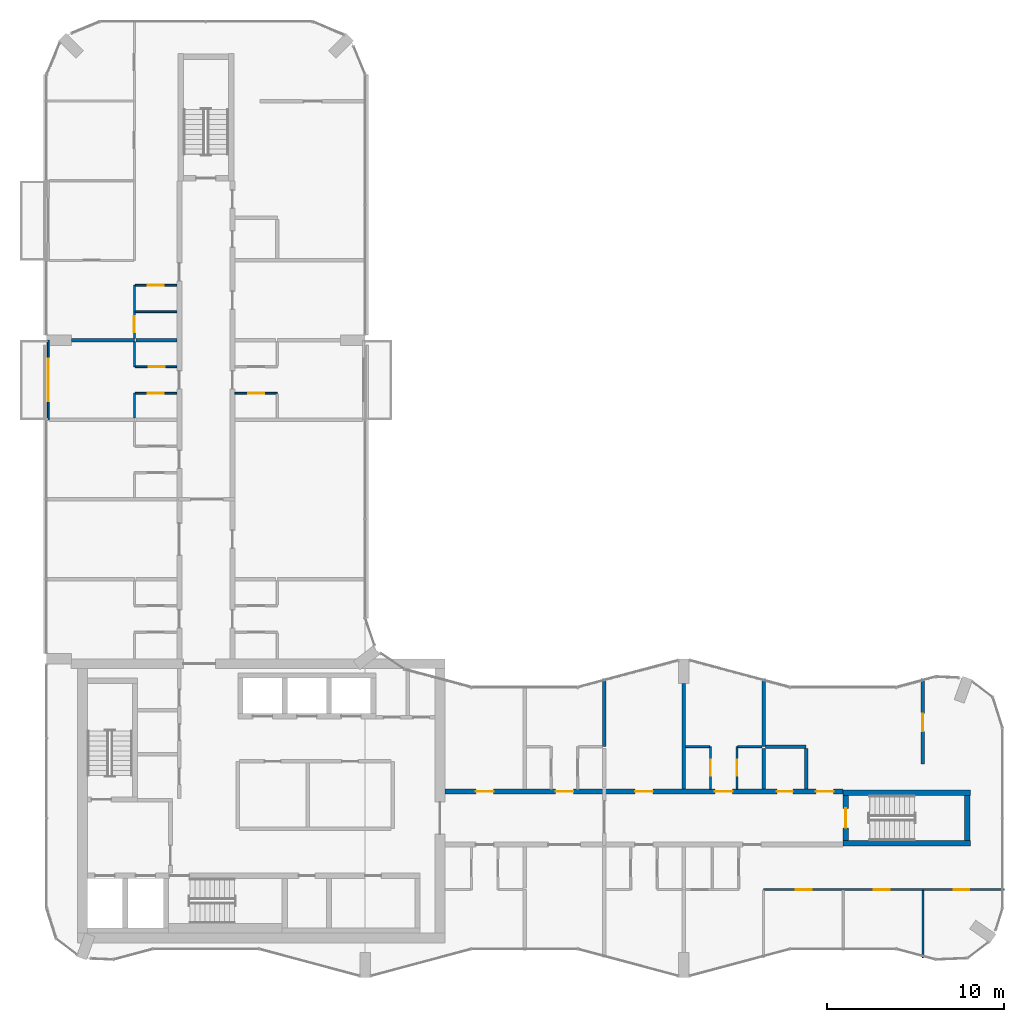
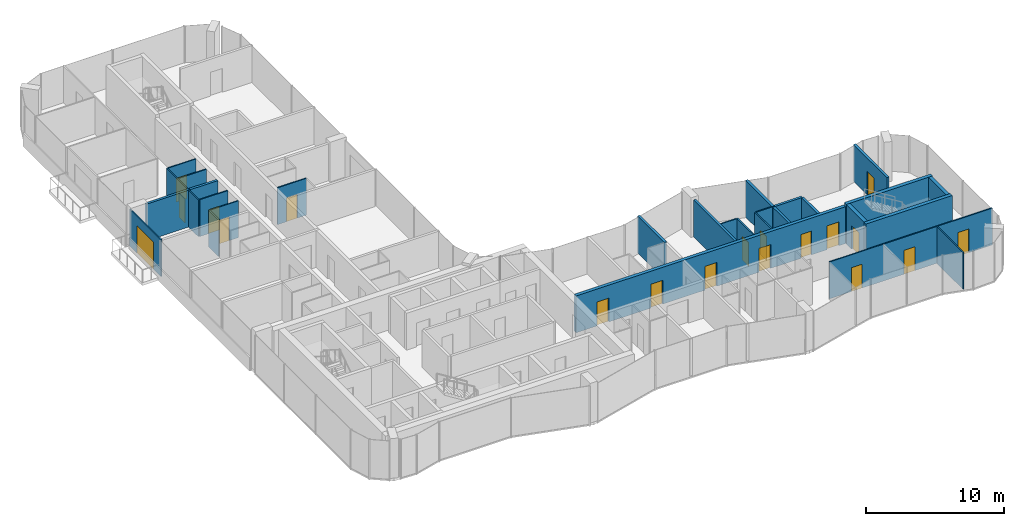
# One storey, part 12 of 15: 29 walls, 19 doors, 19 openings.
"""IFC4 building model written with IfcOpenShell, lengths in metres."""

from ifc_helpers import new_model, si_unit, direction, frame, frame_2d, origin, place, context, subcontext, project, spatial, rectangle, extrude, material, layer, layer_set, type_object, element, fill, save


model = new_model("IFC4")

# Units and contexts
model_context = context("Model", 3, precision=1e-05, world=origin(), true_north=direction((0.0, 1.0)))
body_context = subcontext(model_context, "Body", "Model", "MODEL_VIEW")
ifc_project = project(units=[si_unit("LENGTHUNIT", "METRE"), si_unit("AREAUNIT", "SQUARE_METRE"), si_unit("VOLUMEUNIT", "CUBIC_METRE"), si_unit("PLANEANGLEUNIT", "RADIAN"), si_unit("MASSUNIT", "GRAM", prefix="KILO")], contexts=[model_context])

# Site, building, storey
site_placement = place(None, origin())
site = spatial("IfcSite", under=ifc_project, at=site_placement, CompositionType="ELEMENT")
building_placement = place(site_placement, origin())
building = spatial("IfcBuilding", under=site, at=building_placement, Name="Plateau Cross Towers", CompositionType="ELEMENT")
storey_placement = place(building_placement, frame((0.0, 0.0, 197.89990234375)))
storey = spatial("IfcBuildingStorey", under=building, at=storey_placement, Name="L51", CompositionType="ELEMENT", Elevation=197.89990234375)

# Wall, opening, door
ifc_material_1 = material(Name="Aluminium framed glazing", Category="aluminium")
ifc_layer_1 = layer(ifc_material_1, 0.10009765625)
ifc_layer_set_1 = layer_set([ifc_layer_1], Name="Aluminium framed glazing")
wall_type_1 = type_object("IfcWallType", Name="Balcony screen wall 100", PredefinedType="STANDARD", material=ifc_layer_set_1)
wall_1_placement = place(storey_placement, frame((0.10009765625, 31.5, 0.0), z_axis=(0.0, 0.0, 1.0), x_axis=(0.0, 1.0, 0.0)))
wall_1 = element("IfcWall", 1, at=wall_1_placement, inside=storey, type_object=wall_type_1, Name="Balcony screen wall A-BAL-L51-01", PredefinedType="STANDARD", context=body_context, shape_type="SweptSolid", body=[
    extrude(rectangle(XDim=4.5, YDim=0.10009765625, at=frame_2d((2.25, 0.0))), origin(), (0.0, 0.0, 1.0), 3.25),
])
opening_1_placement = place(wall_1_placement, frame((1.050048828125, 0.0, 0.0)))
opening_1 = element("IfcOpeningElement", 2, at=opening_1_placement, cuts=wall_1, Name="Opening D-B24", PredefinedType="OPENING", context=body_context, shape_type="SweptSolid", body=[
    extrude(rectangle(XDim=2.39990234375, YDim=2.39990234375, at=frame_2d((1.199951171875, 1.199951171875))), frame((0.0, 0.06005859375, 0.0), z_axis=(0.0, -1.0, 0.0), x_axis=(1.0, 0.0, 0.0)), (0.0, 0.0, 1.0), 0.1201171875),
])
ifc_material_2 = material(Name="Aluminium frame, double glazing", Category="aluminium")
door_type_1 = type_object("IfcDoorType", Name="Balcony sliding door 2400", OperationType="NOTDEFINED", PredefinedType="DOOR", material=ifc_material_2)
door_1_placement = place(opening_1_placement, origin())
door_1 = element("IfcDoor", 3, at=door_1_placement, inside=storey, type_object=door_type_1, Name="Balcony door A-BAL-L51-01", OperationType="SINGLE_SWING_LEFT", OverallHeight=2.39990234375, OverallWidth=2.39990234375, PredefinedType="DOOR", context=body_context, shape_type="SweptSolid", body=[
    extrude(rectangle(XDim=2.39990234375, YDim=2.39990234375, at=frame_2d((1.199951171875, 1.199951171875))), frame((0.0, 0.02490234375, 0.0), z_axis=(0.0, -1.0, 0.0), x_axis=(1.0, 0.0, 0.0)), (0.0, 0.0, 1.0), 0.050048828125),
])
fill(opening_1, door_1)

# Wall, openings, doors
ifc_material_3 = material(Name="Concrete C60/75", Category="concrete")
ifc_layer_2 = layer(ifc_material_3, 0.27490234375)
ifc_layer_set_2 = layer_set([ifc_layer_2], Name="Concrete C60/75")
wall_type_2 = type_object("IfcWallType", Name="Corridor wall 275", PredefinedType="SHEAR", material=ifc_layer_set_2)
wall_2_placement = place(storey_placement, frame((22.5, 10.5, 0.0), z_axis=(0.0, 0.0, 1.0), x_axis=(1.0, 0.0, 0.0)))
wall_2 = element("IfcWall", 4, at=wall_2_placement, inside=storey, type_object=wall_type_2, Name="A-cw-S2@L51", PredefinedType="SHEAR", context=body_context, shape_type="SweptSolid", body=[
    extrude(rectangle(XDim=22.5, YDim=0.27490234375, at=frame_2d((11.25, 0.0))), origin(), (0.0, 0.0, 1.0), 3.25),
])
opening_2_placement = place(wall_2_placement, frame((1.75, 0.0, 0.0)))
opening_2 = element("IfcOpeningElement", 5, at=opening_2_placement, cuts=wall_2, Name="Opening 51-05", PredefinedType="OPENING", context=body_context, shape_type="SweptSolid", body=[
    extrude(rectangle(XDim=1.0, YDim=2.10009765625, at=frame_2d((0.5, 1.050048828125))), frame((0.0, 0.1474609375, 0.0), z_axis=(0.0, -1.0, 0.0), x_axis=(1.0, 0.0, 0.0)), (0.0, 0.0, 1.0), 0.294921875),
])
opening_3_placement = place(wall_2_placement, frame((6.25, 0.0, 0.0)))
opening_3 = element("IfcOpeningElement", 6, at=opening_3_placement, cuts=wall_2, Name="Opening 51-06", PredefinedType="OPENING", context=body_context, shape_type="SweptSolid", body=[
    extrude(rectangle(XDim=1.0, YDim=2.10009765625, at=frame_2d((0.5, 1.050048828125))), frame((0.0, 0.1474609375, 0.0), z_axis=(0.0, -1.0, 0.0), x_axis=(1.0, 0.0, 0.0)), (0.0, 0.0, 1.0), 0.294921875),
])
opening_4_placement = place(wall_2_placement, frame((10.75, 0.0, 0.0)))
opening_4 = element("IfcOpeningElement", 7, at=opening_4_placement, cuts=wall_2, Name="Opening 51-07", PredefinedType="OPENING", context=body_context, shape_type="SweptSolid", body=[
    extrude(rectangle(XDim=1.0, YDim=2.10009765625, at=frame_2d((0.5, 1.050048828125))), frame((0.0, 0.1474609375, 0.0), z_axis=(0.0, -1.0, 0.0), x_axis=(1.0, 0.0, 0.0)), (0.0, 0.0, 1.0), 0.294921875),
])
opening_5_placement = place(wall_2_placement, frame((15.25, 0.0, 0.0)))
opening_5 = element("IfcOpeningElement", 8, at=opening_5_placement, cuts=wall_2, Name="Opening 51-08", PredefinedType="OPENING", context=body_context, shape_type="SweptSolid", body=[
    extrude(rectangle(XDim=1.0, YDim=2.10009765625, at=frame_2d((0.5, 1.050048828125))), frame((0.0, 0.1474609375, 0.0), z_axis=(0.0, -1.0, 0.0), x_axis=(1.0, 0.0, 0.0)), (0.0, 0.0, 1.0), 0.294921875),
])
opening_6_placement = place(wall_2_placement, frame((18.75, 0.0, 0.0)))
opening_6 = element("IfcOpeningElement", 9, at=opening_6_placement, cuts=wall_2, Name="Opening 51-09", PredefinedType="OPENING", context=body_context, shape_type="SweptSolid", body=[
    extrude(rectangle(XDim=0.89990234375, YDim=2.10009765625, at=frame_2d((0.449951171875, 1.050048828125))), frame((0.0, 0.1474609375, 0.0), z_axis=(0.0, -1.0, 0.0), x_axis=(1.0, 0.0, 0.0)), (0.0, 0.0, 1.0), 0.294921875),
])
opening_7_placement = place(wall_2_placement, frame((20.949951171875, 0.0, 0.0)))
opening_7 = element("IfcOpeningElement", 10, at=opening_7_placement, cuts=wall_2, Name="Opening 51-10", PredefinedType="OPENING", context=body_context, shape_type="SweptSolid", body=[
    extrude(rectangle(XDim=1.0, YDim=2.10009765625, at=frame_2d((0.5, 1.050048828125))), frame((0.0, 0.1474609375, 0.0), z_axis=(0.0, -1.0, 0.0), x_axis=(1.0, 0.0, 0.0)), (0.0, 0.0, 1.0), 0.294921875),
])
ifc_material_4 = material(Name="Timber, fire-resisting leaf", Category="wood")
door_type_2 = type_object("IfcDoorType", Name="Flat entrance door 1000", OperationType="NOTDEFINED", PredefinedType="DOOR", material=ifc_material_4)
door_2_placement = place(opening_2_placement, origin())
door_2 = element("IfcDoor", 11, at=door_2_placement, inside=storey, type_object=door_type_2, Name="Door 51-05", OperationType="SINGLE_SWING_LEFT", OverallHeight=2.10009765625, OverallWidth=1.0, PredefinedType="DOOR", context=body_context, shape_type="SweptSolid", body=[
    extrude(rectangle(XDim=1.0, YDim=2.10009765625, at=frame_2d((0.5, 1.050048828125))), frame((0.0, 0.02490234375, 0.0), z_axis=(0.0, -1.0, 0.0), x_axis=(1.0, 0.0, 0.0)), (0.0, 0.0, 1.0), 0.050048828125),
])
fill(opening_2, door_2)
door_3_placement = place(opening_3_placement, origin())
door_3 = element("IfcDoor", 12, at=door_3_placement, inside=storey, type_object=door_type_2, Name="Door 51-06", OperationType="SINGLE_SWING_LEFT", OverallHeight=2.10009765625, OverallWidth=1.0, PredefinedType="DOOR", context=body_context, shape_type="SweptSolid", body=[
    extrude(rectangle(XDim=1.0, YDim=2.10009765625, at=frame_2d((0.5, 1.050048828125))), frame((0.0, 0.02490234375, 0.0), z_axis=(0.0, -1.0, 0.0), x_axis=(1.0, 0.0, 0.0)), (0.0, 0.0, 1.0), 0.050048828125),
])
fill(opening_3, door_3)
door_4_placement = place(opening_4_placement, origin())
door_4 = element("IfcDoor", 13, at=door_4_placement, inside=storey, type_object=door_type_2, Name="Door 51-07", OperationType="SINGLE_SWING_LEFT", OverallHeight=2.10009765625, OverallWidth=1.0, PredefinedType="DOOR", context=body_context, shape_type="SweptSolid", body=[
    extrude(rectangle(XDim=1.0, YDim=2.10009765625, at=frame_2d((0.5, 1.050048828125))), frame((0.0, 0.02490234375, 0.0), z_axis=(0.0, -1.0, 0.0), x_axis=(1.0, 0.0, 0.0)), (0.0, 0.0, 1.0), 0.050048828125),
])
fill(opening_4, door_4)
door_5_placement = place(opening_5_placement, origin())
door_5 = element("IfcDoor", 14, at=door_5_placement, inside=storey, type_object=door_type_2, Name="Door 51-08", OperationType="SINGLE_SWING_RIGHT", OverallHeight=2.10009765625, OverallWidth=1.0, PredefinedType="DOOR", context=body_context, shape_type="SweptSolid", body=[
    extrude(rectangle(XDim=1.0, YDim=2.10009765625, at=frame_2d((0.5, 1.050048828125))), frame((0.0, 0.02490234375, 0.0), z_axis=(0.0, -1.0, 0.0), x_axis=(1.0, 0.0, 0.0)), (0.0, 0.0, 1.0), 0.050048828125),
])
fill(opening_5, door_5)
door_6_placement = place(opening_7_placement, origin())
door_6 = element("IfcDoor", 15, at=door_6_placement, inside=storey, type_object=door_type_2, Name="Door 51-10", OperationType="SINGLE_SWING_RIGHT", OverallHeight=2.10009765625, OverallWidth=1.0, PredefinedType="DOOR", context=body_context, shape_type="SweptSolid", body=[
    extrude(rectangle(XDim=1.0, YDim=2.10009765625, at=frame_2d((0.5, 1.050048828125))), frame((0.0, 0.02490234375, 0.0), z_axis=(0.0, -1.0, 0.0), x_axis=(1.0, 0.0, 0.0)), (0.0, 0.0, 1.0), 0.050048828125),
])
fill(opening_7, door_6)
door_type_3 = type_object("IfcDoorType", Name="Flat floor service door 900", OperationType="NOTDEFINED", PredefinedType="DOOR", material=ifc_material_4)
door_7_placement = place(opening_6_placement, origin())
door_7 = element("IfcDoor", 16, at=door_7_placement, inside=storey, type_object=door_type_3, Name="Door 51-09", OperationType="SINGLE_SWING_RIGHT", OverallHeight=2.10009765625, OverallWidth=0.89990234375, PredefinedType="DOOR", context=body_context, shape_type="SweptSolid", body=[
    extrude(rectangle(XDim=0.89990234375, YDim=2.10009765625, at=frame_2d((0.449951171875, 1.050048828125))), frame((0.0, 0.02490234375, 0.0), z_axis=(0.0, -1.0, 0.0), x_axis=(1.0, 0.0, 0.0)), (0.0, 0.0, 1.0), 0.050048828125),
])
fill(opening_6, door_7)

ifc_material_5 = material(Name="Gypsum board on steel studs", Category="steel")
ifc_layer_3 = layer(ifc_material_5, 0.10009765625)
ifc_layer_set_3 = layer_set([ifc_layer_3], Name="Gypsum board on steel studs")
wall_type_3 = type_object("IfcWallType", Name="Flat partition 100", PredefinedType="PARTITIONING", material=ifc_layer_set_3)
wall_3_placement = place(storey_placement, frame((54.080078125, 4.96240234375, 0.0), z_axis=(0.0, 0.0, 1.0), x_axis=(-1.0, 0.0, 0.0)))
wall_3 = element("IfcWall", 17, at=wall_3_placement, inside=storey, type_object=wall_type_3, Name="Partition wall", PredefinedType="PARTITIONING", context=body_context, shape_type="SweptSolid", body=[
    extrude(rectangle(XDim=13.580078125, YDim=0.10009765625, at=frame_2d((6.7900390625, 0.0))), origin(), (0.0, 0.0, 1.0), 3.25),
])
opening_8_placement = place(wall_3_placement, frame((10.85009765625, 0.0, 0.0)))
opening_8 = element("IfcOpeningElement", 18, at=opening_8_placement, cuts=wall_3, Name="Opening 51-32", PredefinedType="OPENING", context=body_context, shape_type="SweptSolid", body=[
    extrude(rectangle(XDim=0.89990234375, YDim=2.10009765625, at=frame_2d((0.449951171875, 1.050048828125))), frame((0.0, 0.06005859375, 0.0), z_axis=(0.0, -1.0, 0.0), x_axis=(1.0, 0.0, 0.0)), (0.0, 0.0, 1.0), 0.1201171875),
])
opening_9_placement = place(wall_3_placement, frame((6.449951171875, 0.0, 0.0)))
opening_9 = element("IfcOpeningElement", 19, at=opening_9_placement, cuts=wall_3, Name="Opening 51-33", PredefinedType="OPENING", context=body_context, shape_type="SweptSolid", body=[
    extrude(rectangle(XDim=0.89990234375, YDim=2.10009765625, at=frame_2d((0.449951171875, 1.050048828125))), frame((0.0, 0.06005859375, 0.0), z_axis=(0.0, -1.0, 0.0), x_axis=(1.0, 0.0, 0.0)), (0.0, 0.0, 1.0), 0.1201171875),
])
opening_10_placement = place(wall_3_placement, frame((1.949951171875, 0.0, 0.0)))
opening_10 = element("IfcOpeningElement", 20, at=opening_10_placement, cuts=wall_3, Name="Opening 51-34", PredefinedType="OPENING", context=body_context, shape_type="SweptSolid", body=[
    extrude(rectangle(XDim=0.89990234375, YDim=2.10009765625, at=frame_2d((0.449951171875, 1.050048828125))), frame((0.0, 0.06005859375, 0.0), z_axis=(0.0, -1.0, 0.0), x_axis=(1.0, 0.0, 0.0)), (0.0, 0.0, 1.0), 0.1201171875),
])
ifc_material_6 = material(Name="Timber leaf", Category="wood")
door_type_4 = type_object("IfcDoorType", Name="Flat room door 900", OperationType="NOTDEFINED", PredefinedType="DOOR", material=ifc_material_6)
door_8_placement = place(opening_8_placement, origin())
door_8 = element("IfcDoor", 21, at=door_8_placement, inside=storey, type_object=door_type_4, Name="Door 51-32", OperationType="SINGLE_SWING_RIGHT", OverallHeight=2.10009765625, OverallWidth=0.89990234375, PredefinedType="DOOR", context=body_context, shape_type="SweptSolid", body=[
    extrude(rectangle(XDim=0.89990234375, YDim=2.10009765625, at=frame_2d((0.449951171875, 1.050048828125))), frame((0.0, 0.02490234375, 0.0), z_axis=(0.0, -1.0, 0.0), x_axis=(1.0, 0.0, 0.0)), (0.0, 0.0, 1.0), 0.050048828125),
])
fill(opening_8, door_8)
door_9_placement = place(opening_9_placement, origin())
door_9 = element("IfcDoor", 22, at=door_9_placement, inside=storey, type_object=door_type_4, Name="Door 51-33", OperationType="SINGLE_SWING_RIGHT", OverallHeight=2.10009765625, OverallWidth=0.89990234375, PredefinedType="DOOR", context=body_context, shape_type="SweptSolid", body=[
    extrude(rectangle(XDim=0.89990234375, YDim=2.10009765625, at=frame_2d((0.449951171875, 1.050048828125))), frame((0.0, 0.02490234375, 0.0), z_axis=(0.0, -1.0, 0.0), x_axis=(1.0, 0.0, 0.0)), (0.0, 0.0, 1.0), 0.050048828125),
])
fill(opening_9, door_9)
door_10_placement = place(opening_10_placement, origin())
door_10 = element("IfcDoor", 23, at=door_10_placement, inside=storey, type_object=door_type_4, Name="Door 51-34", OperationType="SINGLE_SWING_LEFT", OverallHeight=2.10009765625, OverallWidth=0.89990234375, PredefinedType="DOOR", context=body_context, shape_type="SweptSolid", body=[
    extrude(rectangle(XDim=0.89990234375, YDim=2.10009765625, at=frame_2d((0.449951171875, 1.050048828125))), frame((0.0, 0.02490234375, 0.0), z_axis=(0.0, -1.0, 0.0), x_axis=(1.0, 0.0, 0.0)), (0.0, 0.0, 1.0), 0.050048828125),
])
fill(opening_10, door_10)

# Walls
for number, where, z_axis, x_axis, name in (
    (24, (37.449951171875, 13.03759765625, 0.0), (0.0, 0.0, 1.0), (-1.0, 0.0, 0.0), "Partition wall"),
    (25, (40.39990234375, 13.03759765625, 0.0), (0.0, 0.0, 1.0), (-1.0, 0.0, 0.0), "Partition wall"),
):
    element("IfcWall", number, at=place(storey_placement, frame(where, z_axis=z_axis, x_axis=x_axis)), inside=storey, type_object=wall_type_3, Name=name, PredefinedType="PARTITIONING", context=body_context, shape_type="SweptSolid", body=[
        extrude(rectangle(XDim=1.349853515625, YDim=0.10009765625, at=frame_2d((0.6748046875, 0.0))), origin(), (0.0, 0.0, 1.0), 3.25),
    ])

# Wall, opening, door
wall_4_placement = place(storey_placement, frame((7.362548828125, 33.0, 0.0), z_axis=(0.0, 0.0, 1.0), x_axis=(-1.0, 0.0, 0.0)))
wall_4 = element("IfcWall", 26, at=wall_4_placement, inside=storey, type_object=wall_type_3, Name="Partition wall", PredefinedType="PARTITIONING", context=body_context, shape_type="SweptSolid", body=[
    extrude(rectangle(XDim=2.35009765625, YDim=0.10009765625, at=frame_2d((1.175048828125, 0.0))), origin(), (0.0, 0.0, 1.0), 3.25),
])
opening_11_placement = place(wall_4_placement, frame((0.75, 0.0, 0.0)))
opening_11 = element("IfcOpeningElement", 27, at=opening_11_placement, cuts=wall_4, Name="Opening 51-43", PredefinedType="OPENING", context=body_context, shape_type="SweptSolid", body=[
    extrude(rectangle(XDim=0.89990234375, YDim=2.10009765625, at=frame_2d((0.449951171875, 1.050048828125))), frame((0.0, 0.06005859375, 0.0), z_axis=(0.0, -1.0, 0.0), x_axis=(1.0, 0.0, 0.0)), (0.0, 0.0, 1.0), 0.1201171875),
])
door_11_placement = place(opening_11_placement, origin())
door_11 = element("IfcDoor", 28, at=door_11_placement, inside=storey, type_object=door_type_4, Name="Door 51-43", OperationType="SINGLE_SWING_RIGHT", OverallHeight=2.10009765625, OverallWidth=0.89990234375, PredefinedType="DOOR", context=body_context, shape_type="SweptSolid", body=[
    extrude(rectangle(XDim=0.89990234375, YDim=2.10009765625, at=frame_2d((0.449951171875, 1.050048828125))), frame((0.0, 0.02490234375, 0.0), z_axis=(0.0, -1.0, 0.0), x_axis=(1.0, 0.0, 0.0)), (0.0, 0.0, 1.0), 0.050048828125),
])
fill(opening_11, door_11)

wall_5_placement = place(storey_placement, frame((13.03759765625, 33.0, 0.0), z_axis=(0.0, 0.0, 1.0), x_axis=(-1.0, 0.0, 0.0)))
wall_5 = element("IfcWall", 29, at=wall_5_placement, inside=storey, type_object=wall_type_3, Name="Partition wall", PredefinedType="PARTITIONING", context=body_context, shape_type="SweptSolid", body=[
    extrude(rectangle(XDim=2.400146484375, YDim=0.10009765625, at=frame_2d((1.2001953125, 0.0))), origin(), (0.0, 0.0, 1.0), 3.25),
])
opening_12_placement = place(wall_5_placement, frame((0.75, 0.0, 0.0)))
opening_12 = element("IfcOpeningElement", 30, at=opening_12_placement, cuts=wall_5, Name="Opening 51-52", PredefinedType="OPENING", context=body_context, shape_type="SweptSolid", body=[
    extrude(rectangle(XDim=0.89990234375, YDim=2.10009765625, at=frame_2d((0.449951171875, 1.050048828125))), frame((0.0, 0.06005859375, 0.0), z_axis=(0.0, -1.0, 0.0), x_axis=(1.0, 0.0, 0.0)), (0.0, 0.0, 1.0), 0.1201171875),
])
door_12_placement = place(opening_12_placement, origin())
door_12 = element("IfcDoor", 31, at=door_12_placement, inside=storey, type_object=door_type_4, Name="Door 51-52", OperationType="SINGLE_SWING_LEFT", OverallHeight=2.10009765625, OverallWidth=0.89990234375, PredefinedType="DOOR", context=body_context, shape_type="SweptSolid", body=[
    extrude(rectangle(XDim=0.89990234375, YDim=2.10009765625, at=frame_2d((0.449951171875, 1.050048828125))), frame((0.0, 0.02490234375, 0.0), z_axis=(0.0, -1.0, 0.0), x_axis=(1.0, 0.0, 0.0)), (0.0, 0.0, 1.0), 0.050048828125),
])
fill(opening_12, door_12)

wall_6_placement = place(storey_placement, frame((5.012451171875, 34.5, 0.0), z_axis=(0.0, 0.0, 1.0), x_axis=(1.0, 0.0, 0.0)))
wall_6 = element("IfcWall", 32, at=wall_6_placement, inside=storey, type_object=wall_type_3, Name="Partition wall", PredefinedType="PARTITIONING", context=body_context, shape_type="SweptSolid", body=[
    extrude(rectangle(XDim=2.35009765625, YDim=0.10009765625, at=frame_2d((1.175048828125, 0.0))), origin(), (0.0, 0.0, 1.0), 3.25),
])
opening_13_placement = place(wall_6_placement, frame((0.75, 0.0, 0.0)))
opening_13 = element("IfcOpeningElement", 33, at=opening_13_placement, cuts=wall_6, Name="Opening 51-44", PredefinedType="OPENING", context=body_context, shape_type="SweptSolid", body=[
    extrude(rectangle(XDim=0.89990234375, YDim=2.10009765625, at=frame_2d((0.449951171875, 1.050048828125))), frame((0.0, 0.06005859375, 0.0), z_axis=(0.0, -1.0, 0.0), x_axis=(1.0, 0.0, 0.0)), (0.0, 0.0, 1.0), 0.1201171875),
])
door_13_placement = place(opening_13_placement, origin())
door_13 = element("IfcDoor", 34, at=door_13_placement, inside=storey, type_object=door_type_4, Name="Door 51-44", OperationType="SINGLE_SWING_RIGHT", OverallHeight=2.10009765625, OverallWidth=0.89990234375, PredefinedType="DOOR", context=body_context, shape_type="SweptSolid", body=[
    extrude(rectangle(XDim=0.89990234375, YDim=2.10009765625, at=frame_2d((0.449951171875, 1.050048828125))), frame((0.0, 0.02490234375, 0.0), z_axis=(0.0, -1.0, 0.0), x_axis=(1.0, 0.0, 0.0)), (0.0, 0.0, 1.0), 0.050048828125),
])
fill(opening_13, door_13)

# Wall
wall_7_placement = place(storey_placement, frame((7.362548828125, 37.60009765625, 0.0), z_axis=(0.0, 0.0, 1.0), x_axis=(-1.0, 0.0, 0.0)))
element("IfcWall", 35, at=wall_7_placement, inside=storey, type_object=wall_type_3, Name="Partition wall", PredefinedType="PARTITIONING", context=body_context, shape_type="SweptSolid", body=[
    extrude(rectangle(XDim=2.35009765625, YDim=0.10009765625, at=frame_2d((1.175048828125, 0.0))), origin(), (0.0, 0.0, 1.0), 3.25),
])

# Wall, opening, door
wall_8_placement = place(storey_placement, frame((7.362548828125, 39.10009765625, 0.0), z_axis=(0.0, 0.0, 1.0), x_axis=(-1.0, 0.0, 0.0)))
wall_8 = element("IfcWall", 36, at=wall_8_placement, inside=storey, type_object=wall_type_3, Name="Partition wall", PredefinedType="PARTITIONING", context=body_context, shape_type="SweptSolid", body=[
    extrude(rectangle(XDim=2.35009765625, YDim=0.10009765625, at=frame_2d((1.175048828125, 0.0))), origin(), (0.0, 0.0, 1.0), 3.25),
])
opening_14_placement = place(wall_8_placement, frame((0.75, 0.0, 0.0)))
opening_14 = element("IfcOpeningElement", 37, at=opening_14_placement, cuts=wall_8, Name="Opening 51-46", PredefinedType="OPENING", context=body_context, shape_type="SweptSolid", body=[
    extrude(rectangle(XDim=0.89990234375, YDim=2.10009765625, at=frame_2d((0.449951171875, 1.050048828125))), frame((0.0, 0.06005859375, 0.0), z_axis=(0.0, -1.0, 0.0), x_axis=(1.0, 0.0, 0.0)), (0.0, 0.0, 1.0), 0.1201171875),
])
door_14_placement = place(opening_14_placement, origin())
door_14 = element("IfcDoor", 38, at=door_14_placement, inside=storey, type_object=door_type_4, Name="Door 51-46", OperationType="SINGLE_SWING_RIGHT", OverallHeight=2.10009765625, OverallWidth=0.89990234375, PredefinedType="DOOR", context=body_context, shape_type="SweptSolid", body=[
    extrude(rectangle(XDim=0.89990234375, YDim=2.10009765625, at=frame_2d((0.449951171875, 1.050048828125))), frame((0.0, 0.02490234375, 0.0), z_axis=(0.0, -1.0, 0.0), x_axis=(1.0, 0.0, 0.0)), (0.0, 0.0, 1.0), 0.050048828125),
])
fill(opening_14, door_14)

# Walls
for number, where, z_axis, x_axis, name in (
    (39, (4.96240234375, 33.0, 0.0), (0.0, 0.0, 1.0), (0.0, -1.0, 0.0), "Partition wall"),
    (40, (4.96240234375, 35.89990234375, 0.0), (0.0, 0.0, 1.0), (0.0, -1.0, 0.0), "Partition wall"),
):
    element("IfcWall", number, at=place(storey_placement, frame(where, z_axis=z_axis, x_axis=x_axis)), inside=storey, type_object=wall_type_3, Name=name, PredefinedType="PARTITIONING", context=body_context, shape_type="SweptSolid", body=[
        extrude(rectangle(XDim=1.39990234375, YDim=0.10009765625, at=frame_2d((0.699951171875, 0.0))), origin(), (0.0, 0.0, 1.0), 3.25),
    ])

# Wall, opening, door
wall_9_placement = place(storey_placement, frame((4.96240234375, 39.10009765625, 0.0), z_axis=(0.0, 0.0, 1.0), x_axis=(0.0, -1.0, 0.0)))
wall_9 = element("IfcWall", 41, at=wall_9_placement, inside=storey, type_object=wall_type_3, Name="Partition wall", PredefinedType="PARTITIONING", context=body_context, shape_type="SweptSolid", body=[
    extrude(rectangle(XDim=3.0, YDim=0.10009765625, at=frame_2d((1.5, 0.0))), origin(), (0.0, 0.0, 1.0), 3.25),
])
opening_15_placement = place(wall_9_placement, frame((1.75, 0.0, 0.0)))
opening_15 = element("IfcOpeningElement", 42, at=opening_15_placement, cuts=wall_9, Name="Opening 51-45", PredefinedType="OPENING", context=body_context, shape_type="SweptSolid", body=[
    extrude(rectangle(XDim=0.89990234375, YDim=2.10009765625, at=frame_2d((0.449951171875, 1.050048828125))), frame((0.0, 0.06005859375, 0.0), z_axis=(0.0, -1.0, 0.0), x_axis=(1.0, 0.0, 0.0)), (0.0, 0.0, 1.0), 0.1201171875),
])
door_15_placement = place(opening_15_placement, origin())
door_15 = element("IfcDoor", 43, at=door_15_placement, inside=storey, type_object=door_type_4, Name="Door 51-45", OperationType="SINGLE_SWING_RIGHT", OverallHeight=2.10009765625, OverallWidth=0.89990234375, PredefinedType="DOOR", context=body_context, shape_type="SweptSolid", body=[
    extrude(rectangle(XDim=0.89990234375, YDim=2.10009765625, at=frame_2d((0.449951171875, 1.050048828125))), frame((0.0, 0.02490234375, 0.0), z_axis=(0.0, -1.0, 0.0), x_axis=(1.0, 0.0, 0.0)), (0.0, 0.0, 1.0), 0.050048828125),
])
fill(opening_15, door_15)

wall_10_placement = place(storey_placement, frame((37.5, 10.637451171875, 0.0), z_axis=(0.0, 0.0, 1.0), x_axis=(0.0, 1.0, 0.0)))
wall_10 = element("IfcWall", 44, at=wall_10_placement, inside=storey, type_object=wall_type_3, Name="Partition wall", PredefinedType="PARTITIONING", context=body_context, shape_type="SweptSolid", body=[
    extrude(rectangle(XDim=2.400146484375, YDim=0.10009765625, at=frame_2d((1.2001953125, 0.0))), origin(), (0.0, 0.0, 1.0), 3.25),
])
opening_16_placement = place(wall_10_placement, frame((0.75, 0.0, 0.0)))
opening_16 = element("IfcOpeningElement", 45, at=opening_16_placement, cuts=wall_10, Name="Opening 51-37", PredefinedType="OPENING", context=body_context, shape_type="SweptSolid", body=[
    extrude(rectangle(XDim=0.89990234375, YDim=2.10009765625, at=frame_2d((0.449951171875, 1.050048828125))), frame((0.0, 0.06005859375, 0.0), z_axis=(0.0, -1.0, 0.0), x_axis=(1.0, 0.0, 0.0)), (0.0, 0.0, 1.0), 0.1201171875),
])
door_16_placement = place(opening_16_placement, origin())
door_16 = element("IfcDoor", 46, at=door_16_placement, inside=storey, type_object=door_type_4, Name="Door 51-37", OperationType="SINGLE_SWING_LEFT", OverallHeight=2.10009765625, OverallWidth=0.89990234375, PredefinedType="DOOR", context=body_context, shape_type="SweptSolid", body=[
    extrude(rectangle(XDim=0.89990234375, YDim=2.10009765625, at=frame_2d((0.449951171875, 1.050048828125))), frame((0.0, 0.02490234375, 0.0), z_axis=(0.0, -1.0, 0.0), x_axis=(1.0, 0.0, 0.0)), (0.0, 0.0, 1.0), 0.050048828125),
])
fill(opening_16, door_16)

wall_11_placement = place(storey_placement, frame((39.0, 13.03759765625, 0.0), z_axis=(0.0, 0.0, 1.0), x_axis=(0.0, -1.0, 0.0)))
wall_11 = element("IfcWall", 47, at=wall_11_placement, inside=storey, type_object=wall_type_3, Name="Partition wall", PredefinedType="PARTITIONING", context=body_context, shape_type="SweptSolid", body=[
    extrude(rectangle(XDim=2.400146484375, YDim=0.10009765625, at=frame_2d((1.2001953125, 0.0))), origin(), (0.0, 0.0, 1.0), 3.25),
])
opening_17_placement = place(wall_11_placement, frame((0.75, 0.0, 0.0)))
opening_17 = element("IfcOpeningElement", 48, at=opening_17_placement, cuts=wall_11, Name="Opening 51-38", PredefinedType="OPENING", context=body_context, shape_type="SweptSolid", body=[
    extrude(rectangle(XDim=0.89990234375, YDim=2.10009765625, at=frame_2d((0.449951171875, 1.050048828125))), frame((0.0, 0.06005859375, 0.0), z_axis=(0.0, -1.0, 0.0), x_axis=(1.0, 0.0, 0.0)), (0.0, 0.0, 1.0), 0.1201171875),
])
door_17_placement = place(opening_17_placement, origin())
door_17 = element("IfcDoor", 49, at=door_17_placement, inside=storey, type_object=door_type_4, Name="Door 51-38", OperationType="SINGLE_SWING_LEFT", OverallHeight=2.10009765625, OverallWidth=0.89990234375, PredefinedType="DOOR", context=body_context, shape_type="SweptSolid", body=[
    extrude(rectangle(XDim=0.89990234375, YDim=2.10009765625, at=frame_2d((0.449951171875, 1.050048828125))), frame((0.0, 0.02490234375, 0.0), z_axis=(0.0, -1.0, 0.0), x_axis=(1.0, 0.0, 0.0)), (0.0, 0.0, 1.0), 0.050048828125),
])
fill(opening_17, door_17)

# Walls
wall_12_placement = place(storey_placement, frame((49.5, 1.122314453125, 0.0), z_axis=(0.0, 0.0, 1.0), x_axis=(0.0, 1.0, 0.0)))
element("IfcWall", 50, at=wall_12_placement, inside=storey, type_object=wall_type_3, Name="Partition wall", PredefinedType="PARTITIONING", context=body_context, shape_type="SweptSolid", body=[
    extrude(rectangle(XDim=3.790283203125, YDim=0.10009765625, at=frame_2d((1.89501953125, 0.0))), origin(), (0.0, 0.0, 1.0), 3.25),
])
ifc_material_7 = material(Name="Gypsum board on steel studs, two layers each side", Category="steel")
ifc_layer_4 = layer(ifc_material_7, 0.199951171875)
ifc_layer_set_4 = layer_set([ifc_layer_4], Name="Gypsum board on steel studs, two layers each side")
wall_type_4 = type_object("IfcWallType", Name="Flat party wall 200", PredefinedType="PARTITIONING", material=ifc_layer_set_4)
wall_13_placement = place(storey_placement, frame((42.89990234375, 13.03759765625, 0.0), z_axis=(0.0, 0.0, 1.0), x_axis=(-1.0, 0.0, 0.0)))
element("IfcWall", 51, at=wall_13_placement, inside=storey, type_object=wall_type_4, Name="Party wall", PredefinedType="PARTITIONING", context=body_context, shape_type="SweptSolid", body=[
    extrude(rectangle(XDim=2.2998046875, YDim=0.199951171875, at=frame_2d((1.14990234375, 0.0))), origin(), (0.0, 0.0, 1.0), 3.25),
])
wall_14_placement = place(storey_placement, frame((7.362548828125, 36.0, 0.0), z_axis=(0.0, 0.0, 1.0), x_axis=(-1.0, 0.0, 0.0)))
element("IfcWall", 52, at=wall_14_placement, inside=storey, type_object=wall_type_4, Name="Party wall", PredefinedType="PARTITIONING", context=body_context, shape_type="SweptSolid", body=[
    extrude(rectangle(XDim=2.300048828125, YDim=0.199951171875, at=frame_2d((1.14990234375, 0.0))), origin(), (0.0, 0.0, 1.0), 3.25),
])
wall_15_placement = place(storey_placement, frame((1.39990234375, 36.0, 0.0), z_axis=(0.0, 0.0, 1.0), x_axis=(1.0, 0.0, 0.0)))
element("IfcWall", 53, at=wall_15_placement, inside=storey, type_object=wall_type_4, Name="Party wall", PredefinedType="PARTITIONING", context=body_context, shape_type="SweptSolid", body=[
    extrude(rectangle(XDim=3.5625, YDim=0.199951171875, at=frame_2d((1.78125, 0.0))), origin(), (0.0, 0.0, 1.0), 3.25),
])
wall_16_placement = place(storey_placement, frame((31.5, 16.877685546875, 0.0), z_axis=(0.0, 0.0, 1.0), x_axis=(0.0, -1.0, 0.0)))
element("IfcWall", 54, at=wall_16_placement, inside=storey, type_object=wall_type_4, Name="Party wall", PredefinedType="PARTITIONING", context=body_context, shape_type="SweptSolid", body=[
    extrude(rectangle(XDim=3.840087890625, YDim=0.199951171875, at=frame_2d((1.919921875, 0.0))), origin(), (0.0, 0.0, 1.0), 3.25),
])
wall_17_placement = place(storey_placement, frame((36.0, 10.637451171875, 0.0), z_axis=(0.0, 0.0, 1.0), x_axis=(0.0, 1.0, 0.0)))
element("IfcWall", 55, at=wall_17_placement, inside=storey, type_object=wall_type_4, Name="Party wall", PredefinedType="PARTITIONING", context=body_context, shape_type="SweptSolid", body=[
    extrude(rectangle(XDim=5.962646484375, YDim=0.199951171875, at=frame_2d((2.9814453125, 0.0))), origin(), (0.0, 0.0, 1.0), 3.25),
])
wall_18_placement = place(storey_placement, frame((40.5, 16.877685546875, 0.0), z_axis=(0.0, 0.0, 1.0), x_axis=(0.0, -1.0, 0.0)))
element("IfcWall", 56, at=wall_18_placement, inside=storey, type_object=wall_type_4, Name="Party wall", PredefinedType="PARTITIONING", context=body_context, shape_type="SweptSolid", body=[
    extrude(rectangle(XDim=3.840087890625, YDim=0.199951171875, at=frame_2d((1.919921875, 0.0))), origin(), (0.0, 0.0, 1.0), 3.25),
])
for number, where, z_axis, x_axis, name in (
    (57, (40.5, 10.637451171875, 0.0), (0.0, 0.0, 1.0), (0.0, 1.0, 0.0), "Party wall"),
    (58, (42.89990234375, 10.637451171875, 0.0), (0.0, 0.0, 1.0), (0.0, 1.0, 0.0), "Party wall"),
):
    element("IfcWall", number, at=place(storey_placement, frame(where, z_axis=z_axis, x_axis=x_axis)), inside=storey, type_object=wall_type_4, Name=name, PredefinedType="PARTITIONING", context=body_context, shape_type="SweptSolid", body=[
        extrude(rectangle(XDim=2.300048828125, YDim=0.199951171875, at=frame_2d((1.14990234375, 0.0))), origin(), (0.0, 0.0, 1.0), 3.25),
    ])

# Wall, opening, door
wall_19_placement = place(storey_placement, frame((49.5, 12.050048828125, 0.0), z_axis=(0.0, 0.0, 1.0), x_axis=(0.0, 1.0, 0.0)))
wall_19 = element("IfcWall", 59, at=wall_19_placement, inside=storey, type_object=wall_type_4, Name="Party wall", PredefinedType="PARTITIONING", context=body_context, shape_type="SweptSolid", body=[
    extrude(rectangle(XDim=4.82763671875, YDim=0.199951171875, at=frame_2d((2.413818359375, 0.0))), origin(), (0.0, 0.0, 1.0), 3.25),
])
opening_18_placement = place(wall_19_placement, frame((1.85009765625, 0.0, 0.0)))
opening_18 = element("IfcOpeningElement", 60, at=opening_18_placement, cuts=wall_19, Name="Opening 51-24", PredefinedType="OPENING", context=body_context, shape_type="SweptSolid", body=[
    extrude(rectangle(XDim=1.0, YDim=2.10009765625, at=frame_2d((0.5, 1.050048828125))), frame((0.0, 0.10986328125, 0.0), z_axis=(0.0, -1.0, 0.0), x_axis=(1.0, 0.0, 0.0)), (0.0, 0.0, 1.0), 0.219970703125),
])
door_18_placement = place(opening_18_placement, origin())
door_18 = element("IfcDoor", 61, at=door_18_placement, inside=storey, type_object=door_type_2, Name="Door 51-24", OperationType="SINGLE_SWING_LEFT", OverallHeight=2.10009765625, OverallWidth=1.0, PredefinedType="DOOR", context=body_context, shape_type="SweptSolid", body=[
    extrude(rectangle(XDim=1.0, YDim=2.10009765625, at=frame_2d((0.5, 1.050048828125))), frame((0.0, 0.02490234375, 0.0), z_axis=(0.0, -1.0, 0.0), x_axis=(1.0, 0.0, 0.0)), (0.0, 0.0, 1.0), 0.050048828125),
])
fill(opening_18, door_18)

ifc_layer_5 = layer(ifc_material_3, 0.300048828125)
ifc_layer_set_5 = layer_set([ifc_layer_5], Name="Concrete C60/75")
wall_type_5 = type_object("IfcWallType", Name="Stair tower wall 300", PredefinedType="SHEAR", material=ifc_layer_set_5)
wall_20_placement = place(storey_placement, frame((45.14990234375, 7.72509765625, 0.0), z_axis=(0.0, 0.0, 1.0), x_axis=(0.0, 1.0, 0.0)))
wall_20 = element("IfcWall", 62, at=wall_20_placement, inside=storey, type_object=wall_type_5, Name="A-end-E-W@L51", PredefinedType="SHEAR", context=body_context, shape_type="SweptSolid", body=[
    extrude(rectangle(XDim=2.5498046875, YDim=0.300048828125, at=frame_2d((1.27490234375, 0.0))), origin(), (0.0, 0.0, 1.0), 3.5),
])
opening_19_placement = place(wall_20_placement, frame((0.72509765625, 0.0, 0.0)))
opening_19 = element("IfcOpeningElement", 63, at=opening_19_placement, cuts=wall_20, Name="Opening SD", PredefinedType="OPENING", context=body_context, shape_type="SweptSolid", body=[
    extrude(rectangle(XDim=1.10009765625, YDim=2.10009765625, at=frame_2d((0.550048828125, 1.050048828125))), frame((0.0, 0.159912109375, 0.0), z_axis=(0.0, -1.0, 0.0), x_axis=(1.0, 0.0, 0.0)), (0.0, 0.0, 1.0), 0.320068359375),
])
ifc_material_8 = material(Name="Steel, fire-resisting leaf", Category="steel")
door_type_5 = type_object("IfcDoorType", Name="Stair door 1100", OperationType="NOTDEFINED", PredefinedType="DOOR", material=ifc_material_8)
door_19_placement = place(opening_19_placement, origin())
door_19 = element("IfcDoor", 64, at=door_19_placement, inside=storey, type_object=door_type_5, Name="Stair door SD", OperationType="SINGLE_SWING_LEFT", OverallHeight=2.10009765625, OverallWidth=1.10009765625, PredefinedType="DOOR", context=body_context, shape_type="SweptSolid", body=[
    extrude(rectangle(XDim=1.10009765625, YDim=2.10009765625, at=frame_2d((0.550048828125, 1.050048828125))), frame((0.0, 0.02490234375, 0.0), z_axis=(0.0, -1.0, 0.0), x_axis=(1.0, 0.0, 0.0)), (0.0, 0.0, 1.0), 0.050048828125),
])
fill(opening_19, door_19)

# Walls
wall_21_placement = place(storey_placement, frame((52.0, 7.72509765625, 0.0), z_axis=(0.0, 0.0, 1.0), x_axis=(0.0, 1.0, 0.0)))
element("IfcWall", 65, at=wall_21_placement, inside=storey, type_object=wall_type_5, Name="A-end-E-E@L51", PredefinedType="SHEAR", context=body_context, shape_type="SweptSolid", body=[
    extrude(rectangle(XDim=2.5498046875, YDim=0.300048828125, at=frame_2d((1.27490234375, 0.0))), origin(), (0.0, 0.0, 1.0), 3.5),
])
for number, where, z_axis, x_axis, name in (
    (66, (45.0, 7.574951171875, 0.0), (0.0, 0.0, 1.0), (1.0, 0.0, 0.0), "A-end-E-S@L51"),
    (67, (45.0, 10.425048828125, 0.0), (0.0, 0.0, 1.0), (1.0, 0.0, 0.0), "A-end-E-N@L51"),
):
    element("IfcWall", number, at=place(storey_placement, frame(where, z_axis=z_axis, x_axis=x_axis)), inside=storey, type_object=wall_type_5, Name=name, PredefinedType="SHEAR", context=body_context, shape_type="SweptSolid", body=[
        extrude(rectangle(XDim=7.199951171875, YDim=0.300048828125, at=frame_2d((3.60009765625, 0.0))), origin(), (0.0, 0.0, 1.0), 3.5),
    ])

save(model, "model.ifc")
